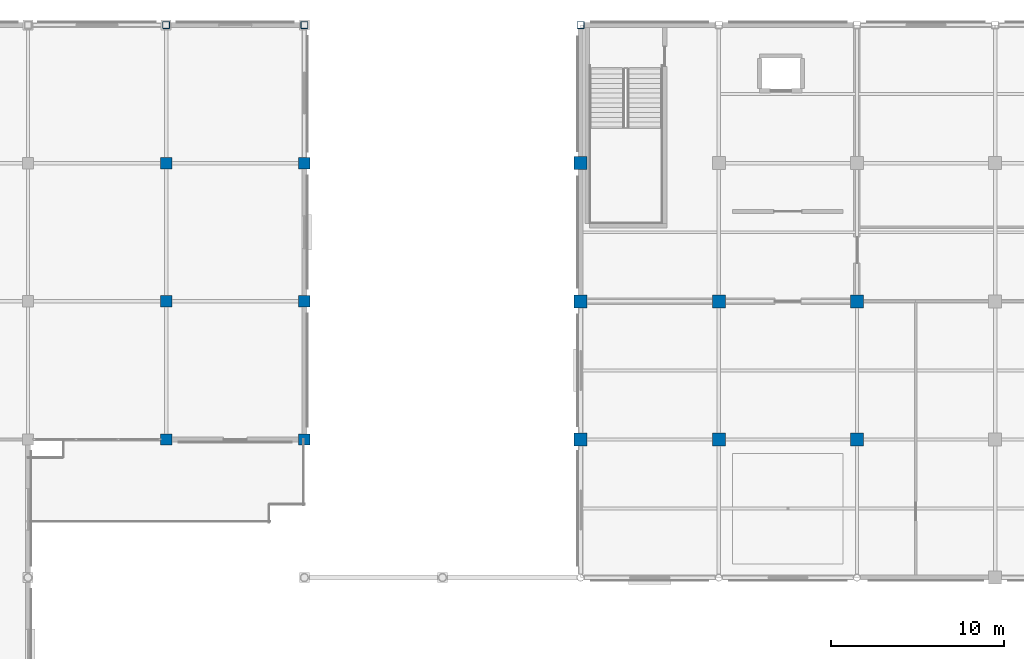
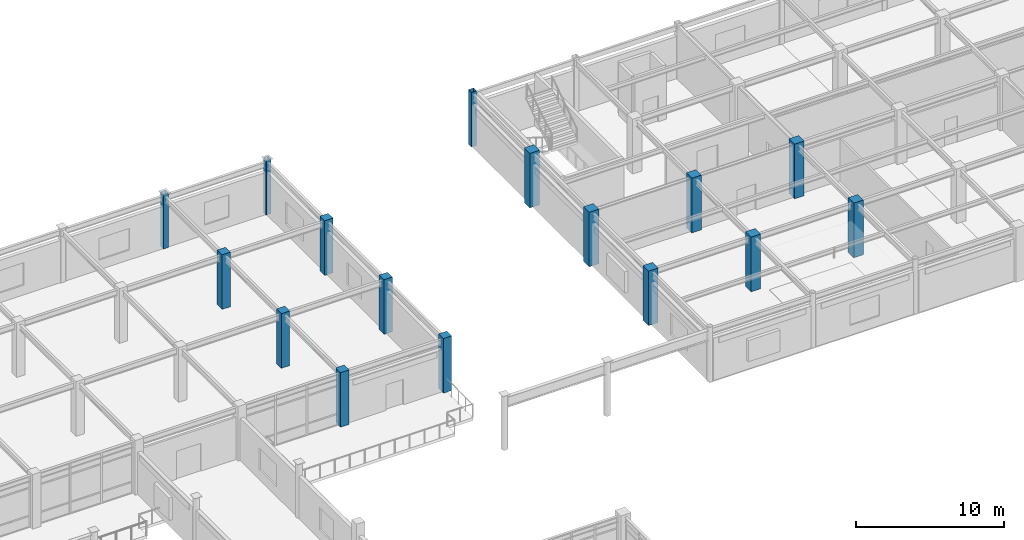
# One storey, part 13 of 78: 16 columns.
"""IFC4 building model written with IfcOpenShell, lengths in metres."""

import ifcopenshell
import ifcopenshell.guid

model = None  # the IFC model being written
_history = None  # IfcOwnerHistory: only IFC2X3 demands one
_inside = {}  # id of a spatial element -> (the spatial element, [elements in it])
_under = {}  # id of a project, library or spatial element -> (it, [spatial elements below it])
_declared = {}  # id of a project -> (the project, [libraries it declares])
_typed = {}  # id of a type object -> (the type object, [elements of that type])
_made_of = {}  # id of a material, layer set ... -> (it, [elements and type objects made of it])


def new_model(schema):
    """Start an empty IFC model of exactly this schema.

    Asked for "IFC4X3", IfcOpenShell would pick the latest addendum, in which some entities
    have other attributes; the version numbers below select the first issue.
    IFC2X3 requires an IfcOwnerHistory on every rooted entity: one is made here for all.
    """
    global model, _history
    if schema == "IFC4X3":
        model = ifcopenshell.file(schema_version=(4, 3, 0, 0))
    else:
        model = ifcopenshell.file(schema=schema)
    _inside.clear()
    _under.clear()
    _declared.clear()
    _typed.clear()
    _made_of.clear()
    _history = None
    if model.schema == "IFC2X3":
        org = make("IfcOrganization", Name="unknown")
        user = make(
            "IfcPersonAndOrganization",
            ThePerson=make("IfcPerson", FamilyName="unknown"),
            TheOrganization=org,
        )
        app = make(
            "IfcApplication",
            ApplicationDeveloper=org,
            Version="unknown",
            ApplicationFullName="unknown",
            ApplicationIdentifier="unknown",
        )
        _history = make(
            "IfcOwnerHistory",
            OwningUser=user,
            OwningApplication=app,
            ChangeAction="ADDED",
            CreationDate=0,
        )
    return model


def make(cls, **values):
    """One entity of the class cls with the attributes given. An attribute that is None is left unset."""
    return model.create_entity(
        cls, **{name: value for name, value in values.items() if value is not None}
    )


def rooted(cls, **values):
    """An entity with a GlobalId (a new one), such as an element, a storey or a relation."""
    return make(cls, GlobalId=ifcopenshell.guid.new(), OwnerHistory=_history, **values)


def si_unit(unit_type, name, prefix=None):
    """IfcSIUnit, for example si_unit("LENGTHUNIT", "METRE", prefix="MILLI")."""
    return make("IfcSIUnit", UnitType=unit_type, Prefix=prefix, Name=name)


def assignment(units):
    """IfcUnitAssignment: the units of a project."""
    return None if units is None else make("IfcUnitAssignment", Units=units)


def point(xyz):
    """IfcCartesianPoint."""
    return None if xyz is None else make("IfcCartesianPoint", Coordinates=xyz)


def direction(xyz):
    """IfcDirection."""
    return None if xyz is None else make("IfcDirection", DirectionRatios=xyz)


def frame(location, z_axis=None, x_axis=None):
    """IfcAxis2Placement3D, a coordinate frame: its origin and axes. An axis left out is left unset."""
    return make(
        "IfcAxis2Placement3D",
        Location=point(location),
        Axis=direction(z_axis),
        RefDirection=direction(x_axis),
    )


def frame_2d(location, x_axis=None):
    """IfcAxis2Placement2D, a coordinate frame in the plane: its origin and x axis."""
    return make(
        "IfcAxis2Placement2D", Location=point(location), RefDirection=direction(x_axis)
    )


def origin():
    """The frame at (0, 0, 0) with its axes left unset."""
    return frame((0.0, 0.0, 0.0))


def origin_2d():
    """The frame at (0, 0) in the plane with its x axis left unset."""
    return frame_2d((0.0, 0.0))


def place(relative_to, where):
    """IfcLocalPlacement: puts the frame where relative to a parent placement (None: the world)."""
    return make(
        "IfcLocalPlacement", PlacementRelTo=relative_to, RelativePlacement=where
    )


def context(
    kind, dimensions, precision=None, world=None, true_north=None, identifier=None
):
    """IfcGeometricRepresentationContext, for example the 3D "Model" context."""
    return make(
        "IfcGeometricRepresentationContext",
        ContextIdentifier=identifier,
        ContextType=kind,
        CoordinateSpaceDimension=dimensions,
        Precision=precision,
        WorldCoordinateSystem=world,
        TrueNorth=true_north,
    )


def subcontext(parent, identifier, kind, view, scale=None):
    """IfcGeometricRepresentationSubContext, for example "Body" below "Model"."""
    return make(
        "IfcGeometricRepresentationSubContext",
        ContextIdentifier=identifier,
        ContextType=kind,
        ParentContext=parent,
        TargetScale=scale,
        TargetView=view,
    )


def project(units=None, contexts=None):
    """IfcProject with its units and contexts."""
    return rooted(
        "IfcProject",
        Name="project",
        RepresentationContexts=contexts,
        UnitsInContext=assignment(units),
    )


def spatial(cls, under=None, at=None, **own):
    """A site, building, storey or space (cls), placed at a placement, below another one or the project."""
    s = rooted(cls, ObjectPlacement=at, **own)
    if under is not None:
        _under.setdefault(under.id(), (under, []))[1].append(s)
    return s


def profile(cls, at=None, kind="AREA", **sizes):
    """A parametric profile (cls). Its sizes go by their IFC names, for example OverallWidth=200.0."""
    return make(cls, ProfileType=kind, Position=at, **sizes)


def rectangle(**sizes):
    """IfcRectangleProfileDef."""
    return profile("IfcRectangleProfileDef", **sizes)


def hollow_rectangle(**sizes):
    """IfcRectangleHollowProfileDef."""
    return profile("IfcRectangleHollowProfileDef", **sizes)


def extrude(swept, where, along, depth):
    """IfcExtrudedAreaSolid: the profile swept, set in the frame where, extruded along a direction by depth."""
    return make(
        "IfcExtrudedAreaSolid",
        SweptArea=swept,
        Position=where,
        ExtrudedDirection=direction(along),
        Depth=depth,
    )


def shape(context_of_items, identifier, shape_type, items):
    """IfcShapeRepresentation: the items that make up one representation, for example the "Body"."""
    return make(
        "IfcShapeRepresentation",
        ContextOfItems=context_of_items,
        RepresentationIdentifier=identifier,
        RepresentationType=shape_type,
        Items=items,
    )


def material(Name=None, Category=None):
    """IfcMaterial."""
    return make("IfcMaterial", Name=Name, Category=Category)


def material_profile(
    of_material, cross_section, Name=None, Category=None, Priority=None
):
    """IfcMaterialProfile: a cross section and its material."""
    return make(
        "IfcMaterialProfile",
        Name=Name,
        Material=of_material,
        Profile=cross_section,
        Priority=Priority,
        Category=Category,
    )


def profile_set(profiles, Name=None, composite=None):
    """IfcMaterialProfileSet."""
    return make(
        "IfcMaterialProfileSet",
        Name=Name,
        MaterialProfiles=profiles,
        CompositeProfile=composite,
    )


def made_of(thing, what):
    """Note that an element or type object is made of a material, layer set ...; save() writes the relation."""
    if what is not None:
        _made_of.setdefault(what.id(), (what, []))[1].append(thing)
    return thing


def type_object(cls, material=None, **own):
    """A type object (cls), such as IfcWallType, which elements share."""
    return made_of(rooted(cls, **own), material)


def element(
    cls,
    number,
    at=None,
    inside=None,
    cuts=None,
    type_object=None,
    material=None,
    context=None,
    identifier="Body",
    shape_type=None,
    held_by="IfcProductDefinitionShape",
    body=None,
    shapes=None,
    **own,
):
    """One element of the class cls, such as IfcWall. Its Tag is "e" and its number.

    at: its placement. inside: the storey or other place that contains it. cuts: it is an
    opening in that element (IfcRelVoidsElement). A single representation is given by context,
    identifier, shape_type and body (its items); several are given by shapes. held_by: the class
    of the entity that holds the representations. save() writes the other relations.
    """
    e = rooted(cls, Tag="e%d" % number, ObjectPlacement=at, **own)
    if body is not None:
        shapes = [shape(context, identifier, shape_type, body)]
    if shapes is not None:
        e.Representation = make(held_by, Representations=shapes)
    if inside is not None:
        _inside.setdefault(inside.id(), (inside, []))[1].append(e)
    if cuts is not None:
        rooted(
            "IfcRelVoidsElement", RelatingBuildingElement=cuts, RelatedOpeningElement=e
        )
    if type_object is not None:
        _typed.setdefault(type_object.id(), (type_object, []))[1].append(e)
    return made_of(e, material)


def aggregate(whole, parts):
    """IfcRelAggregates: a whole, such as a stair, and the parts it consists of."""
    return rooted("IfcRelAggregates", RelatingObject=whole, RelatedObjects=parts)


def save(model, path):
    """Write the relations noted so far, then the file.

    IfcRelAggregates (storeys below a building ...), IfcRelContainedInSpatialStructure (elements
    in a storey), IfcRelDefinesByType, IfcRelAssociatesMaterial and IfcRelDeclares: one each for
    every whole, place, type object, material and project.
    """
    for whole, parts in _under.values():
        aggregate(whole, parts)
    for where, things in _inside.values():
        rooted(
            "IfcRelContainedInSpatialStructure",
            RelatedElements=things,
            RelatingStructure=where,
        )
    for kind, things in _typed.values():
        rooted("IfcRelDefinesByType", RelatedObjects=things, RelatingType=kind)
    for what, things in _made_of.values():
        rooted("IfcRelAssociatesMaterial", RelatedObjects=things, RelatingMaterial=what)
    for by, libraries in _declared.values():
        rooted("IfcRelDeclares", RelatingContext=by, RelatedDefinitions=libraries)
    model.write(path)


model = new_model("IFC4")

# Units and contexts
model_context = context("Model", 3, precision=1e-05, world=origin(), true_north=direction((0.0, 1.0)))
body_context = subcontext(model_context, "Body", "Model", "MODEL_VIEW")
ifc_project = project(units=[si_unit("LENGTHUNIT", "METRE"), si_unit("AREAUNIT", "SQUARE_METRE"), si_unit("VOLUMEUNIT", "CUBIC_METRE"), si_unit("PLANEANGLEUNIT", "RADIAN"), si_unit("MASSUNIT", "GRAM", prefix="KILO")], contexts=[model_context])

# Site, building, storey
site_placement = place(None, origin())
site = spatial("IfcSite", under=ifc_project, at=site_placement, CompositionType="ELEMENT")
building_placement = place(site_placement, origin())
building = spatial("IfcBuilding", under=site, at=building_placement, Name="Solmirada Galleria", CompositionType="ELEMENT")
storey_placement = place(building_placement, frame((0.0, 0.0, 23.89990234375)))
storey = spatial("IfcBuildingStorey", under=building, at=storey_placement, Name="L05", CompositionType="ELEMENT", Elevation=23.89990234375)

# Columns
ifc_material_1 = material(Name="Steel S355 / ASTM A500 Grade C", Category="steel")
ifc_material_profile_1 = material_profile(ifc_material_1, hollow_rectangle(XDim=0.406005859375, YDim=0.406005859375, WallThickness=0.0146484375, InnerFilletRadius=0.0146484375, OuterFilletRadius=0.029296875, at=origin_2d()), Name="HSS16X16X5/8")
ifc_profile_set_1 = profile_set([ifc_material_profile_1], Name="Steel S355 / ASTM A500 Grade C")
column_type_1 = type_object("IfcColumnType", Name="COL-HSS16", PredefinedType="COLUMN", material=ifc_profile_set_1)
for number, where, z_axis, x_axis, name in (
    (1, (104.0, 120.0, 0.0), (0.0, 0.0, 1.0), (1.0, 0.0, 0.0), "Structural column L05-0802"),
    (2, (112.0, 120.0, 0.0), (0.0, 0.0, 1.0), (1.0, 0.0, 0.0), "Structural column L05-0919"),
    (3, (128.0, 120.0, 0.0), (0.0, 0.0, 1.0), (1.0, 0.0, 0.0), "Structural column L05-1101"),
):
    element("IfcColumn", number, at=place(storey_placement, frame(where, z_axis=z_axis, x_axis=x_axis)), inside=storey, type_object=column_type_1, Name=name, PredefinedType="COLUMN", context=body_context, shape_type="SweptSolid", body=[
        extrude(hollow_rectangle(XDim=0.406005859375, YDim=0.406005859375, WallThickness=0.0146484375, InnerFilletRadius=0.0146484375, OuterFilletRadius=0.029296875, at=origin_2d()), origin(), (0.0, 0.0, 1.0), 4.5),
    ])
ifc_material_2 = material(Name="Concrete C40/50", Category="concrete")
ifc_material_profile_2 = material_profile(ifc_material_2, rectangle(XDim=0.64990234375, YDim=0.64990234375, at=origin_2d()), Name="RC650X650")
ifc_profile_set_2 = profile_set([ifc_material_profile_2], Name="Concrete C40/50")
column_type_2 = type_object("IfcColumnType", Name="COL-RC650", PredefinedType="COLUMN", material=ifc_profile_set_2)
for number, where, z_axis, x_axis, name in (
    (4, (104.0, 96.0, 0.0), (0.0, 0.0, 1.0), (1.0, 0.0, 0.0), "Structural column L05-0781"),
    (5, (104.0, 104.0, 0.0), (0.0, 0.0, 1.0), (1.0, 0.0, 0.0), "Structural column L05-0788"),
    (6, (104.0, 112.0, 0.0), (0.0, 0.0, 1.0), (1.0, 0.0, 0.0), "Structural column L05-0795"),
    (7, (112.0, 96.0, 0.0), (0.0, 0.0, 1.0), (1.0, 0.0, 0.0), "Structural column L05-0898"),
    (8, (112.0, 104.0, 0.0), (0.0, 0.0, 1.0), (1.0, 0.0, 0.0), "Structural column L05-0905"),
    (9, (112.0, 112.0, 0.0), (0.0, 0.0, 1.0), (1.0, 0.0, 0.0), "Structural column L05-0912"),
):
    element("IfcColumn", number, at=place(storey_placement, frame(where, z_axis=z_axis, x_axis=x_axis)), inside=storey, type_object=column_type_2, Name=name, PredefinedType="COLUMN", context=body_context, shape_type="SweptSolid", body=[
        extrude(rectangle(XDim=0.64990234375, YDim=0.64990234375, at=origin_2d()), origin(), (0.0, 0.0, 1.0), 4.5),
    ])
ifc_material_profile_3 = material_profile(ifc_material_2, rectangle(XDim=0.75, YDim=0.75, at=origin_2d()), Name="RC750X750")
ifc_profile_set_3 = profile_set([ifc_material_profile_3], Name="Concrete C40/50")
column_type_3 = type_object("IfcColumnType", Name="COL-RC750", PredefinedType="COLUMN", material=ifc_profile_set_3)
for number, where, z_axis, x_axis, name in (
    (10, (128.0, 96.0, 0.0), (0.0, 0.0, 1.0), (1.0, 0.0, 0.0), "Structural column L05-1074"),
    (11, (128.0, 104.0, 0.0), (0.0, 0.0, 1.0), (1.0, 0.0, 0.0), "Structural column L05-1083"),
    (12, (128.0, 112.0, 0.0), (0.0, 0.0, 1.0), (1.0, 0.0, 0.0), "Structural column L05-1092"),
    (13, (136.0, 96.0, 0.0), (0.0, 0.0, 1.0), (1.0, 0.0, 0.0), "Structural column L05-1175"),
    (14, (136.0, 104.0, 0.0), (0.0, 0.0, 1.0), (1.0, 0.0, 0.0), "Structural column L05-1184"),
    (15, (144.0, 96.0, 0.0), (0.0, 0.0, 1.0), (1.0, 0.0, 0.0), "Structural column L05-1261"),
    (16, (144.0, 104.0, 0.0), (0.0, 0.0, 1.0), (1.0, 0.0, 0.0), "Structural column L05-1270"),
):
    element("IfcColumn", number, at=place(storey_placement, frame(where, z_axis=z_axis, x_axis=x_axis)), inside=storey, type_object=column_type_3, Name=name, PredefinedType="COLUMN", context=body_context, shape_type="SweptSolid", body=[
        extrude(rectangle(XDim=0.75, YDim=0.75, at=origin_2d()), origin(), (0.0, 0.0, 1.0), 4.5),
    ])

save(model, "model.ifc")
